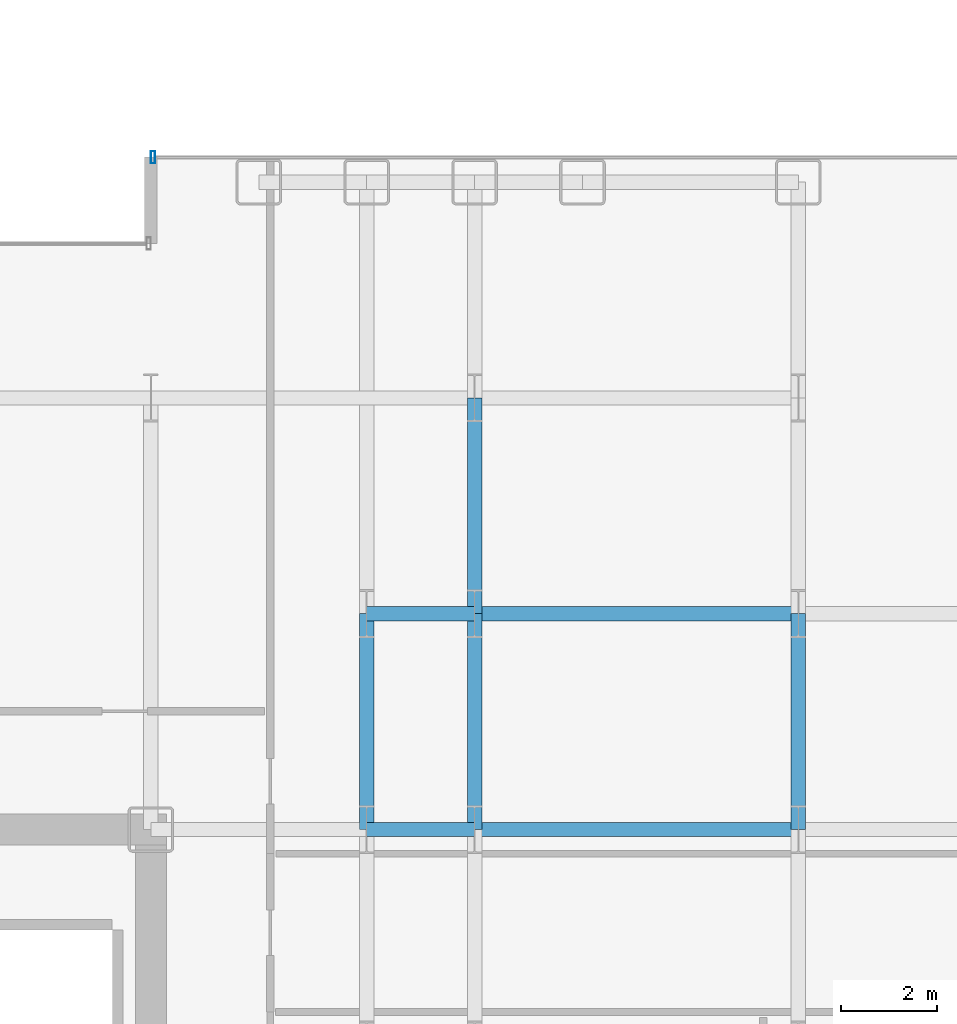
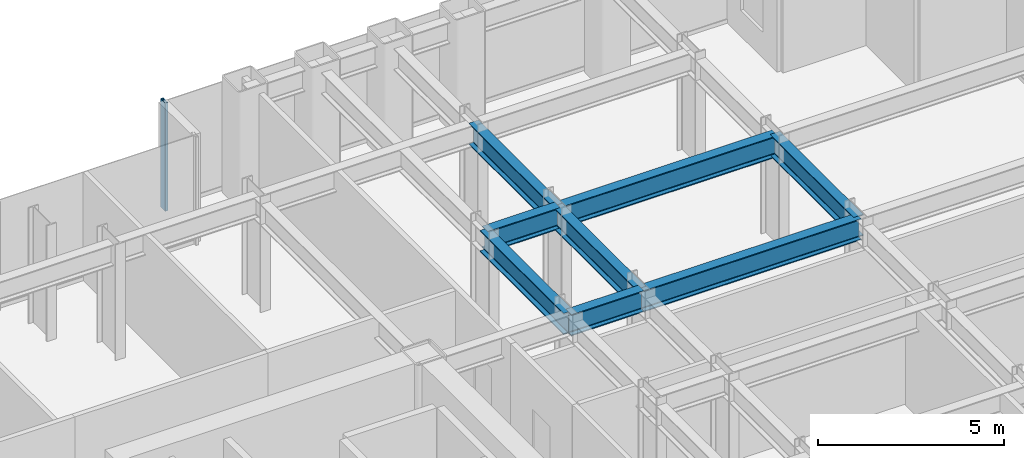
# One storey, part 15 of 29: 8 beams, 1 member, 1 element without a shape of its own.
"""IFC4 building model written with IfcOpenShell, lengths in metres."""

from ifc_helpers import new_model, si_unit, direction, frame, origin, origin_2d, place, context, subcontext, project, spatial, hollow_rectangle, i_section, extrude, source, transform, mapped, material, layer, layer_set, material_profile, profile_set, type_object, element, aggregate, save


model = new_model("IFC4")

# Units and contexts
model_context = context("Model", 3, precision=1e-05, world=origin(), true_north=direction((0.0, 1.0)))
body_context = subcontext(model_context, "Body", "Model", "MODEL_VIEW")
ifc_project = project(units=[si_unit("LENGTHUNIT", "METRE"), si_unit("AREAUNIT", "SQUARE_METRE"), si_unit("VOLUMEUNIT", "CUBIC_METRE"), si_unit("PLANEANGLEUNIT", "RADIAN"), si_unit("MASSUNIT", "GRAM", prefix="KILO")], contexts=[model_context])

# Site, building, storey
site_placement = place(None, origin())
site = spatial("IfcSite", under=ifc_project, at=site_placement, CompositionType="ELEMENT")
building_placement = place(site_placement, origin())
building = spatial("IfcBuilding", under=site, at=building_placement, Name="Nefas-Gora Pilgrimage Tower", CompositionType="ELEMENT")
storey_placement = place(building_placement, frame((0.0, 0.0, 55.800048828125)))
storey = spatial("IfcBuildingStorey", under=building, at=storey_placement, Name="L12", CompositionType="ELEMENT", Elevation=55.800048828125)

# Beams
ifc_material_1 = material(Name="Steel S355", Category="steel")
ifc_material_profile_1 = material_profile(ifc_material_1, i_section(OverallWidth=0.300048828125, OverallDepth=0.699951171875, WebThickness=0.01708984375, FlangeThickness=0.031982421875, FilletRadius=0.027099609375, at=origin_2d()), Name="HEB 700")
ifc_profile_set_1 = profile_set([ifc_material_profile_1], Name="Steel S355")
beam_type = type_object("IfcBeamType", Name="BM-GIR-HEB700", PredefinedType="BEAM", material=ifc_profile_set_1)
shared_shape_1 = source(origin(), body_context, "Body", "SweptSolid", [
    extrude(i_section(OverallWidth=0.300048828125, OverallDepth=0.699951171875, WebThickness=0.01708984375, FlangeThickness=0.031982421875, FilletRadius=0.027099609375, at=origin_2d()), origin(), (0.0, 0.0, 1.0), 4.5),
])
for number, where, z_axis, x_axis, name in (
    (1, (15.75, 9.0, 3.199951171875), (0.0, 1.0, 0.0), (-1.0, 0.0, 0.0), "L12 G-02 beam"),
    (2, (18.0, 9.0, 3.199951171875), (0.0, 1.0, 0.0), (-1.0, 0.0, 0.0), "L12 G-02 beam"),
    (3, (18.0, 13.5, 3.199951171875), (0.0, 1.0, 0.0), (-1.0, 0.0, 0.0), "L12 G-02 beam"),
    (4, (24.75, 9.0, 3.199951171875), (0.0, 1.0, 0.0), (-1.0, 0.0, 0.0), "L12 G-02 beam"),
):
    element("IfcBeam", number, at=place(storey_placement, frame(where, z_axis=z_axis, x_axis=x_axis)), inside=storey, type_object=beam_type, Name=name, PredefinedType="BEAM", context=body_context, shape_type="MappedRepresentation", body=[
        mapped(shared_shape_1, transform((0.0, 0.0, 0.0), x_axis=(1.0, 0.0, 0.0), y_axis=(0.0, 1.0, 0.0), z_axis=(0.0, 0.0, 1.0), scale=1.0)),
    ])
shared_shape_2 = source(origin(), body_context, "Body", "SweptSolid", [
    extrude(i_section(OverallWidth=0.300048828125, OverallDepth=0.699951171875, WebThickness=0.01708984375, FlangeThickness=0.031982421875, FilletRadius=0.027099609375, at=origin_2d()), origin(), (0.0, 0.0, 1.0), 6.75),
])
for number, where, z_axis, x_axis, name in (
    (5, (18.0, 9.0, 3.199951171875), (1.0, 0.0, 0.0), (0.0, 1.0, 0.0), "L12 G-02 beam"),
    (6, (18.0, 13.5, 3.199951171875), (1.0, 0.0, 0.0), (0.0, 1.0, 0.0), "L12 G-02 beam"),
):
    element("IfcBeam", number, at=place(storey_placement, frame(where, z_axis=z_axis, x_axis=x_axis)), inside=storey, type_object=beam_type, Name=name, PredefinedType="BEAM", context=body_context, shape_type="MappedRepresentation", body=[
        mapped(shared_shape_2, transform((0.0, 0.0, 0.0), x_axis=(1.0, 0.0, 0.0), y_axis=(0.0, 1.0, 0.0), z_axis=(0.0, 0.0, 1.0), scale=1.0)),
    ])
shared_shape_3 = source(origin(), body_context, "Body", "SweptSolid", [
    extrude(i_section(OverallWidth=0.300048828125, OverallDepth=0.699951171875, WebThickness=0.01708984375, FlangeThickness=0.031982421875, FilletRadius=0.027099609375, at=origin_2d()), origin(), (0.0, 0.0, 1.0), 2.25),
])
for number, where, z_axis, x_axis, name in (
    (7, (15.75, 9.0, 3.199951171875), (1.0, 0.0, 0.0), (0.0, 1.0, 0.0), "L12 G-02 beam"),
    (8, (15.75, 13.5, 3.199951171875), (1.0, 0.0, 0.0), (0.0, 1.0, 0.0), "L12 G-02 beam"),
):
    element("IfcBeam", number, at=place(storey_placement, frame(where, z_axis=z_axis, x_axis=x_axis)), inside=storey, type_object=beam_type, Name=name, PredefinedType="BEAM", context=body_context, shape_type="MappedRepresentation", body=[
        mapped(shared_shape_3, transform((0.0, 0.0, 0.0), x_axis=(1.0, 0.0, 0.0), y_axis=(0.0, 1.0, 0.0), z_axis=(0.0, 0.0, 1.0), scale=1.0)),
    ])

# Curtain wall, member
ifc_material_2 = material(Name="Dark ceramic-fritted solar-control aluminium-glass curtain wall", Category="aluminium")
ifc_layer = layer(ifc_material_2, 0.219970703125)
ifc_layer_set = layer_set([ifc_layer], Name="Dark ceramic-fritted solar-control aluminium-glass curtain wall")
curtain_wall_type = type_object("IfcCurtainWallType", Name="CW-SYS-2", PredefinedType="NOTDEFINED", material=ifc_layer_set)
curtain_wall_placement = place(storey_placement, origin())
curtain_wall = element("IfcCurtainWall", 9, at=curtain_wall_placement, inside=storey, type_object=curtain_wall_type, Name="L12 Unitised Curtain Wall CW2", PredefinedType="NOTDEFINED")
ifc_material_3 = material(Name="Anodised architectural aluminium", Category="aluminium")
ifc_material_profile_2 = material_profile(ifc_material_3, hollow_rectangle(XDim=0.090087890625, YDim=0.260009765625, WallThickness=0.006103515625, InnerFilletRadius=0.006103515625, OuterFilletRadius=0.011962890625, at=origin_2d()), Name="ALU MULLION 90x260")
ifc_profile_set_2 = profile_set([ifc_material_profile_2], Name="Anodised architectural aluminium")
member_type = type_object("IfcMemberType", Name="CWM-MUL-2", PredefinedType="MULLION", material=ifc_profile_set_2)
shared_shape_4 = source(origin(), body_context, "Body", "SweptSolid", [
    extrude(hollow_rectangle(XDim=0.090087890625, YDim=0.260009765625, WallThickness=0.006103515625, InnerFilletRadius=0.006103515625, OuterFilletRadius=0.011962890625, at=origin_2d()), origin(), (0.0, 0.0, 1.0), 3.550048828125),
])
member_placement = place(storey_placement, frame((11.294921875, 23.02001953125, 0.0), z_axis=(0.0, 0.0, 1.0), x_axis=(-1.0, 0.0, 0.0)))
member = element("IfcMember", 10, at=member_placement, type_object=member_type, Name="CW2 Mullion 2", PredefinedType="MULLION", context=body_context, shape_type="MappedRepresentation", body=[
    mapped(shared_shape_4, transform((0.0, 0.0, 0.0), x_axis=(1.0, 0.0, 0.0), y_axis=(0.0, 1.0, 0.0), z_axis=(0.0, 0.0, 1.0), scale=1.0)),
])
aggregate(curtain_wall, [member])

save(model, "model.ifc")
